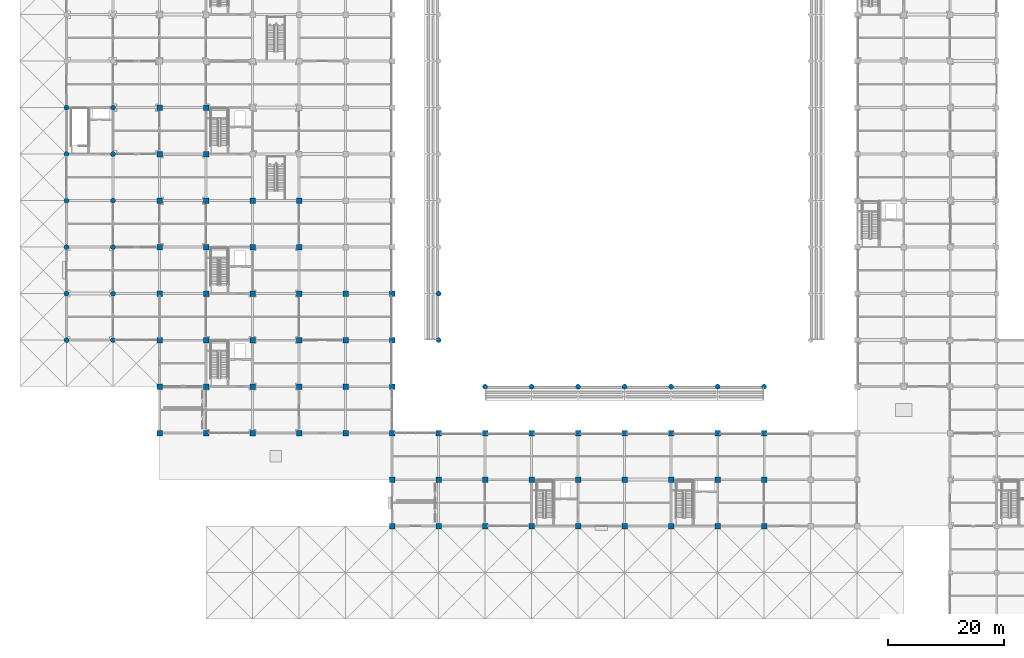
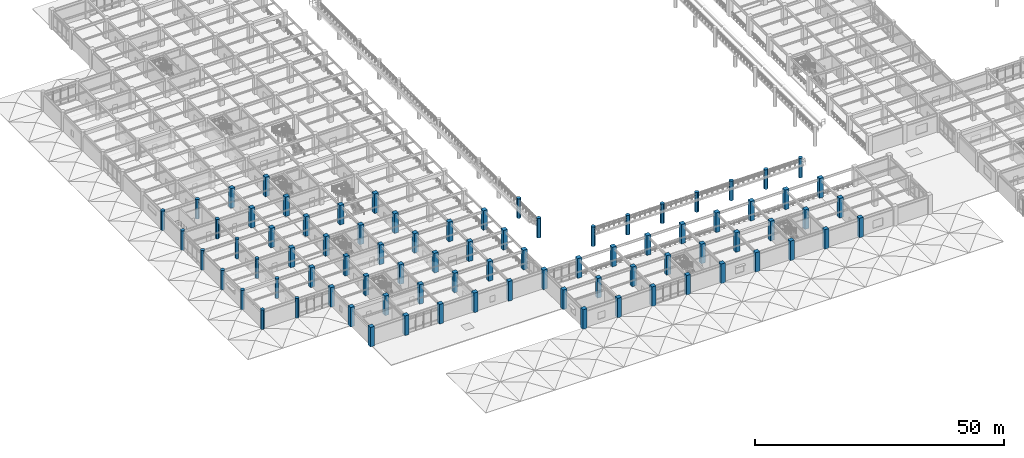
# One storey, part 1 of 109: 83 columns.
"""IFC4 building model written with IfcOpenShell, lengths in metres."""

from ifc_helpers import new_model, si_unit, direction, frame, origin, origin_2d, place, context, subcontext, project, spatial, rectangle, circle, extrude, material, material_profile, profile_set, type_object, element, save


model = new_model("IFC4")

# Units and contexts
model_context = context("Model", 3, precision=1e-05, world=origin(), true_north=direction((0.0, 1.0)))
body_context = subcontext(model_context, "Body", "Model", "MODEL_VIEW")
ifc_project = project(units=[si_unit("LENGTHUNIT", "METRE"), si_unit("AREAUNIT", "SQUARE_METRE"), si_unit("VOLUMEUNIT", "CUBIC_METRE"), si_unit("PLANEANGLEUNIT", "RADIAN"), si_unit("MASSUNIT", "GRAM", prefix="KILO")], contexts=[model_context])

# Site, building, storey
site_placement = place(None, origin())
site = spatial("IfcSite", under=ifc_project, at=site_placement, CompositionType="ELEMENT")
building_placement = place(site_placement, origin())
building = spatial("IfcBuilding", under=site, at=building_placement, Name="Haebicheon Civic Stadium", CompositionType="ELEMENT")
storey_placement = place(building_placement, frame((0.0, 0.0, 9.60009765625)))
storey = spatial("IfcBuildingStorey", under=building, at=storey_placement, Name="L03", CompositionType="ELEMENT", Elevation=9.60009765625)

# Columns
ifc_material_1 = material(Name="Concrete C40/50", Category="concrete")
ifc_material_profile_1 = material_profile(ifc_material_1, rectangle(XDim=0.949951171875, YDim=0.949951171875, at=origin_2d()), Name="RC-COL-950x950")
ifc_profile_set_1 = profile_set([ifc_material_profile_1], Name="Concrete C40/50")
column_type_1 = type_object("IfcColumnType", Name="COL-RC-950", PredefinedType="COLUMN", material=ifc_profile_set_1)
for number, where, z_axis, x_axis, name in (
    (1, (24.0, 32.0, 0.0), (0.0, 0.0, 1.0), (1.0, 0.0, 0.0), "L03 column 4/E"),
    (2, (24.0, 40.0, 0.0), (0.0, 0.0, 1.0), (1.0, 0.0, 0.0), "L03 column 4/F"),
    (3, (24.0, 48.0, 0.0), (0.0, 0.0, 1.0), (1.0, 0.0, 0.0), "L03 column 4/G"),
    (4, (24.0, 56.0, 0.0), (0.0, 0.0, 1.0), (1.0, 0.0, 0.0), "L03 column 4/H"),
    (5, (24.0, 64.0, 0.0), (0.0, 0.0, 1.0), (1.0, 0.0, 0.0), "L03 column 4/J"),
    (6, (24.0, 72.0, 0.0), (0.0, 0.0, 1.0), (1.0, 0.0, 0.0), "L03 column 4/K"),
    (7, (24.0, 80.0, 0.0), (0.0, 0.0, 1.0), (1.0, 0.0, 0.0), "L03 column 4/L"),
    (8, (24.0, 88.0, 0.0), (0.0, 0.0, 1.0), (1.0, 0.0, 0.0), "L03 column 4/M"),
    (9, (32.0, 32.0, 0.0), (0.0, 0.0, 1.0), (1.0, 0.0, 0.0), "L03 column 5/E"),
    (10, (32.0, 40.0, 0.0), (0.0, 0.0, 1.0), (1.0, 0.0, 0.0), "L03 column 5/F"),
    (11, (32.0, 48.0, 0.0), (0.0, 0.0, 1.0), (1.0, 0.0, 0.0), "L03 column 5/G"),
    (12, (32.0, 56.0, 0.0), (0.0, 0.0, 1.0), (1.0, 0.0, 0.0), "L03 column 5/H"),
    (13, (32.0, 64.0, 0.0), (0.0, 0.0, 1.0), (1.0, 0.0, 0.0), "L03 column 5/J"),
    (14, (32.0, 72.0, 0.0), (0.0, 0.0, 1.0), (1.0, 0.0, 0.0), "L03 column 5/K"),
    (15, (32.0, 80.0, 0.0), (0.0, 0.0, 1.0), (1.0, 0.0, 0.0), "L03 column 5/L"),
    (16, (32.0, 88.0, 0.0), (0.0, 0.0, 1.0), (1.0, 0.0, 0.0), "L03 column 5/M"),
    (17, (40.0, 32.0, 0.0), (0.0, 0.0, 1.0), (1.0, 0.0, 0.0), "L03 column 6/E"),
    (18, (40.0, 40.0, 0.0), (0.0, 0.0, 1.0), (1.0, 0.0, 0.0), "L03 column 6/F"),
    (19, (40.0, 48.0, 0.0), (0.0, 0.0, 1.0), (1.0, 0.0, 0.0), "L03 column 6/G"),
    (20, (40.0, 56.0, 0.0), (0.0, 0.0, 1.0), (1.0, 0.0, 0.0), "L03 column 6/H"),
    (21, (40.0, 64.0, 0.0), (0.0, 0.0, 1.0), (1.0, 0.0, 0.0), "L03 column 6/J"),
    (22, (40.0, 72.0, 0.0), (0.0, 0.0, 1.0), (1.0, 0.0, 0.0), "L03 column 6/K"),
    (23, (48.0, 32.0, 0.0), (0.0, 0.0, 1.0), (1.0, 0.0, 0.0), "L03 column 7/E"),
    (24, (48.0, 40.0, 0.0), (0.0, 0.0, 1.0), (1.0, 0.0, 0.0), "L03 column 7/F"),
    (25, (48.0, 48.0, 0.0), (0.0, 0.0, 1.0), (1.0, 0.0, 0.0), "L03 column 7/G"),
    (26, (48.0, 56.0, 0.0), (0.0, 0.0, 1.0), (1.0, 0.0, 0.0), "L03 column 7/H"),
    (27, (48.0, 64.0, 0.0), (0.0, 0.0, 1.0), (1.0, 0.0, 0.0), "L03 column 7/J"),
    (28, (48.0, 72.0, 0.0), (0.0, 0.0, 1.0), (1.0, 0.0, 0.0), "L03 column 7/K"),
    (29, (56.0, 32.0, 0.0), (0.0, 0.0, 1.0), (1.0, 0.0, 0.0), "L03 column 8/E"),
    (30, (56.0, 40.0, 0.0), (0.0, 0.0, 1.0), (1.0, 0.0, 0.0), "L03 column 8/F"),
    (31, (56.0, 48.0, 0.0), (0.0, 0.0, 1.0), (1.0, 0.0, 0.0), "L03 column 8/G"),
    (32, (56.0, 56.0, 0.0), (0.0, 0.0, 1.0), (1.0, 0.0, 0.0), "L03 column 8/H"),
    (33, (64.0, 16.0, 0.0), (0.0, 0.0, 1.0), (1.0, 0.0, 0.0), "L03 column 9/C"),
    (34, (64.0, 24.0, 0.0), (0.0, 0.0, 1.0), (1.0, 0.0, 0.0), "L03 column 9/D"),
    (35, (64.0, 32.0, 0.0), (0.0, 0.0, 1.0), (1.0, 0.0, 0.0), "L03 column 9/E"),
    (36, (64.0, 40.0, 0.0), (0.0, 0.0, 1.0), (1.0, 0.0, 0.0), "L03 column 9/F"),
    (37, (64.0, 48.0, 0.0), (0.0, 0.0, 1.0), (1.0, 0.0, 0.0), "L03 column 9/G"),
    (38, (64.0, 56.0, 0.0), (0.0, 0.0, 1.0), (1.0, 0.0, 0.0), "L03 column 9/H"),
    (39, (72.0, 16.0, 0.0), (0.0, 0.0, 1.0), (1.0, 0.0, 0.0), "L03 column 10/C"),
    (40, (72.0, 24.0, 0.0), (0.0, 0.0, 1.0), (1.0, 0.0, 0.0), "L03 column 10/D"),
    (41, (72.0, 32.0, 0.0), (0.0, 0.0, 1.0), (1.0, 0.0, 0.0), "L03 column 10/E"),
    (42, (80.0, 16.0, 0.0), (0.0, 0.0, 1.0), (1.0, 0.0, 0.0), "L03 column 11/C"),
    (43, (80.0, 24.0, 0.0), (0.0, 0.0, 1.0), (1.0, 0.0, 0.0), "L03 column 11/D"),
    (44, (80.0, 32.0, 0.0), (0.0, 0.0, 1.0), (1.0, 0.0, 0.0), "L03 column 11/E"),
    (45, (88.0, 16.0, 0.0), (0.0, 0.0, 1.0), (1.0, 0.0, 0.0), "L03 column 12/C"),
    (46, (88.0, 24.0, 0.0), (0.0, 0.0, 1.0), (1.0, 0.0, 0.0), "L03 column 12/D"),
    (47, (88.0, 32.0, 0.0), (0.0, 0.0, 1.0), (1.0, 0.0, 0.0), "L03 column 12/E"),
    (48, (96.0, 16.0, 0.0), (0.0, 0.0, 1.0), (1.0, 0.0, 0.0), "L03 column 13/C"),
    (49, (96.0, 24.0, 0.0), (0.0, 0.0, 1.0), (1.0, 0.0, 0.0), "L03 column 13/D"),
    (50, (96.0, 32.0, 0.0), (0.0, 0.0, 1.0), (1.0, 0.0, 0.0), "L03 column 13/E"),
    (51, (104.0, 16.0, 0.0), (0.0, 0.0, 1.0), (1.0, 0.0, 0.0), "L03 column 14/C"),
    (52, (104.0, 24.0, 0.0), (0.0, 0.0, 1.0), (1.0, 0.0, 0.0), "L03 column 14/D"),
    (53, (104.0, 32.0, 0.0), (0.0, 0.0, 1.0), (1.0, 0.0, 0.0), "L03 column 14/E"),
    (54, (112.0, 16.0, 0.0), (0.0, 0.0, 1.0), (1.0, 0.0, 0.0), "L03 column 15/C"),
    (55, (112.0, 24.0, 0.0), (0.0, 0.0, 1.0), (1.0, 0.0, 0.0), "L03 column 15/D"),
    (56, (112.0, 32.0, 0.0), (0.0, 0.0, 1.0), (1.0, 0.0, 0.0), "L03 column 15/E"),
    (57, (120.0, 16.0, 0.0), (0.0, 0.0, 1.0), (1.0, 0.0, 0.0), "L03 column 16/C"),
    (58, (120.0, 24.0, 0.0), (0.0, 0.0, 1.0), (1.0, 0.0, 0.0), "L03 column 16/D"),
    (59, (120.0, 32.0, 0.0), (0.0, 0.0, 1.0), (1.0, 0.0, 0.0), "L03 column 16/E"),
    (60, (128.0, 16.0, 0.0), (0.0, 0.0, 1.0), (1.0, 0.0, 0.0), "L03 column 17/C"),
    (61, (128.0, 24.0, 0.0), (0.0, 0.0, 1.0), (1.0, 0.0, 0.0), "L03 column 17/D"),
    (62, (128.0, 32.0, 0.0), (0.0, 0.0, 1.0), (1.0, 0.0, 0.0), "L03 column 17/E"),
):
    element("IfcColumn", number, at=place(storey_placement, frame(where, z_axis=z_axis, x_axis=x_axis)), inside=storey, type_object=column_type_1, material=ifc_profile_set_1, Name=name, PredefinedType="COLUMN", context=body_context, shape_type="SweptSolid", body=[
        extrude(rectangle(XDim=0.949951171875, YDim=0.949951171875, at=origin_2d()), origin(), (0.0, 0.0, 1.0), 4.7998046875),
    ])
ifc_material_2 = material(Name="Concrete C40/50", Category="concrete")
ifc_material_profile_2 = material_profile(ifc_material_2, circle(Radius=0.425048828125, at=origin_2d()), Name="RC-COL-D850")
ifc_profile_set_2 = profile_set([ifc_material_profile_2], Name="Concrete C40/50")
column_type_2 = type_object("IfcColumnType", Name="COL-RC-D850", PredefinedType="COLUMN", material=ifc_profile_set_2)
for number, where, z_axis, x_axis, name in (
    (63, (8.0, 48.0, 0.0), (0.0, 0.0, 1.0), (1.0, 0.0, 0.0), "L03 column 2/G"),
    (64, (8.0, 56.0, 0.0), (0.0, 0.0, 1.0), (1.0, 0.0, 0.0), "L03 column 2/H"),
    (65, (8.0, 64.0, 0.0), (0.0, 0.0, 1.0), (1.0, 0.0, 0.0), "L03 column 2/J"),
    (66, (8.0, 72.0, 0.0), (0.0, 0.0, 1.0), (1.0, 0.0, 0.0), "L03 column 2/K"),
    (67, (8.0, 80.0, 0.0), (0.0, 0.0, 1.0), (1.0, 0.0, 0.0), "L03 column 2/L"),
    (68, (8.0, 88.0, 0.0), (0.0, 0.0, 1.0), (1.0, 0.0, 0.0), "L03 column 2/M"),
    (69, (16.0, 48.0, 0.0), (0.0, 0.0, 1.0), (1.0, 0.0, 0.0), "L03 column 3/G"),
    (70, (16.0, 56.0, 0.0), (0.0, 0.0, 1.0), (1.0, 0.0, 0.0), "L03 column 3/H"),
    (71, (16.0, 64.0, 0.0), (0.0, 0.0, 1.0), (1.0, 0.0, 0.0), "L03 column 3/J"),
    (72, (16.0, 72.0, 0.0), (0.0, 0.0, 1.0), (1.0, 0.0, 0.0), "L03 column 3/K"),
    (73, (16.0, 80.0, 0.0), (0.0, 0.0, 1.0), (1.0, 0.0, 0.0), "L03 column 3/L"),
    (74, (16.0, 88.0, 0.0), (0.0, 0.0, 1.0), (1.0, 0.0, 0.0), "L03 column 3/M"),
    (75, (72.0, 48.0, 0.0), (0.0, 0.0, 1.0), (1.0, 0.0, 0.0), "Bowl/canopy support column 72/48 (L03)"),
    (76, (72.0, 56.0, 0.0), (0.0, 0.0, 1.0), (1.0, 0.0, 0.0), "Bowl/canopy support column 72/56 (L03)"),
    (77, (80.0, 40.0, 0.0), (0.0, 0.0, 1.0), (1.0, 0.0, 0.0), "Bowl/canopy support column 80/40 (L03)"),
    (78, (88.0, 40.0, 0.0), (0.0, 0.0, 1.0), (1.0, 0.0, 0.0), "Bowl/canopy support column 88/40 (L03)"),
    (79, (96.0, 40.0, 0.0), (0.0, 0.0, 1.0), (1.0, 0.0, 0.0), "Bowl/canopy support column 96/40 (L03)"),
    (80, (104.0, 40.0, 0.0), (0.0, 0.0, 1.0), (1.0, 0.0, 0.0), "Bowl/canopy support column 104/40 (L03)"),
    (81, (112.0, 40.0, 0.0), (0.0, 0.0, 1.0), (1.0, 0.0, 0.0), "Bowl/canopy support column 112/40 (L03)"),
    (82, (120.0, 40.0, 0.0), (0.0, 0.0, 1.0), (1.0, 0.0, 0.0), "Bowl/canopy support column 120/40 (L03)"),
    (83, (128.0, 40.0, 0.0), (0.0, 0.0, 1.0), (1.0, 0.0, 0.0), "Bowl/canopy support column 128/40 (L03)"),
):
    element("IfcColumn", number, at=place(storey_placement, frame(where, z_axis=z_axis, x_axis=x_axis)), inside=storey, type_object=column_type_2, material=ifc_profile_set_2, Name=name, PredefinedType="COLUMN", context=body_context, shape_type="SweptSolid", body=[
        extrude(circle(Radius=0.425048828125, at=origin_2d()), origin(), (0.0, 0.0, 1.0), 4.7998046875),
    ])

save(model, "model.ifc")
